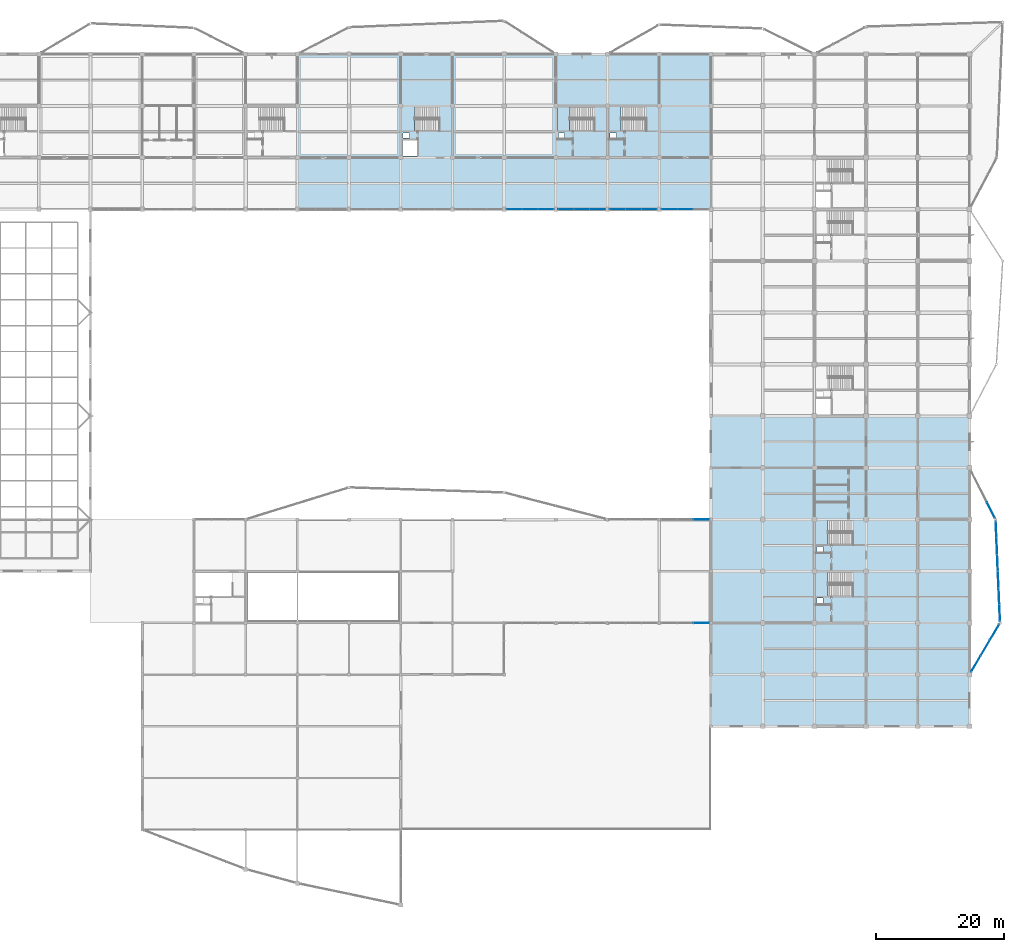
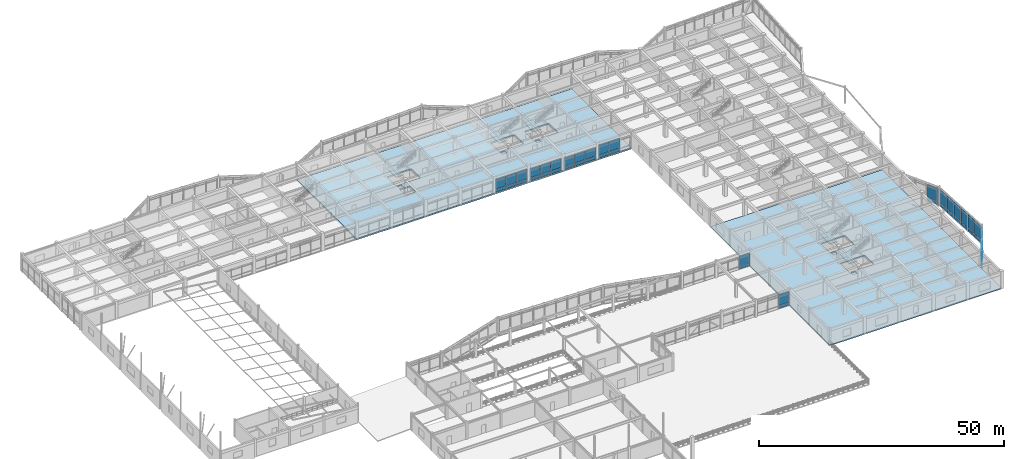
# One storey, part 55 of 89: 46 plates, 7 slabs, 15 elements without a shape of their own.
"""IFC4 building model written with IfcOpenShell, lengths in metres."""

from ifc_helpers import new_model, si_unit, direction, frame, origin, origin_2d, place, context, subcontext, project, spatial, polyline, rectangle, outline, extrude, material, layer, layer_set, type_object, element, aggregate, save


model = new_model("IFC4")

# Units and contexts
model_context = context("Model", 3, precision=1e-05, world=origin(), true_north=direction((0.0, 1.0)))
body_context = subcontext(model_context, "Body", "Model", "MODEL_VIEW")
ifc_project = project(units=[si_unit("LENGTHUNIT", "METRE"), si_unit("AREAUNIT", "SQUARE_METRE"), si_unit("VOLUMEUNIT", "CUBIC_METRE"), si_unit("PLANEANGLEUNIT", "RADIAN"), si_unit("MASSUNIT", "GRAM", prefix="KILO")], contexts=[model_context])

# Site, building, storey
site_placement = place(None, origin())
site = spatial("IfcSite", under=ifc_project, at=site_placement, CompositionType="ELEMENT")
building_placement = place(site_placement, origin())
building = spatial("IfcBuilding", under=site, at=building_placement, Name="Vaudrelin Polytechnic", CompositionType="ELEMENT")
storey_placement = place(building_placement, frame((0.0, 0.0, 9.68994140625)))
storey = spatial("IfcBuildingStorey", under=building, at=storey_placement, Name="L02", CompositionType="ELEMENT", Elevation=9.68994140625)

# Curtain wall, plate
ifc_material_1 = material(Name="Thermally broken anodised aluminium AA 6063-T6 and low-e triple glazing", Category="aluminium")
ifc_layer_1 = layer(ifc_material_1, 0.199951171875)
ifc_layer_set_1 = layer_set([ifc_layer_1], Name="Thermally broken anodised aluminium AA 6063-T6 and low-e triple glazing")
curtain_wall_type_1 = type_object("IfcCurtainWallType", Name="CW-CW-WG", PredefinedType="USERDEFINED", material=ifc_layer_set_1)
curtain_wall_1_placement = place(storey_placement, origin())
curtain_wall_1 = element("IfcCurtainWall", 1, at=curtain_wall_1_placement, inside=storey, type_object=curtain_wall_type_1, Name="Curtain wall L02 S_V6E_03", ObjectType="CURTAIN WALL", PredefinedType="USERDEFINED")
ifc_material_2 = material(Name="Insulated ceramic-frit spandrel glass panel", Category="glass")
ifc_layer_2 = layer(ifc_material_2, 0.052001953125)
ifc_layer_set_2 = layer_set([ifc_layer_2], Name="Insulated ceramic-frit spandrel glass panel")
plate_type_1 = type_object("IfcPlateType", Name="PLT-GLZ-SPAND", PredefinedType="CURTAIN_PANEL", material=ifc_layer_set_2)
plate_1_placement = place(storey_placement, frame((128.101318359375, 32.39990234375, 0.08984375), z_axis=(0.0, 0.0, 1.0), x_axis=(1.0, 0.0, 0.0)))
plate_1 = element("IfcPlate", 2, at=plate_1_placement, type_object=plate_type_1, Name="S_V6E_03 spandrel panel 3", PredefinedType="CURTAIN_PANEL", context=body_context, shape_type="SweptSolid", body=[
    extrude(rectangle(XDim=2.451416015625, YDim=0.052001953125, at=origin_2d()), origin(), (0.0, 0.0, 1.0), 0.699951171875),
])

curtain_wall_2_placement = place(storey_placement, origin())
curtain_wall_2 = element("IfcCurtainWall", 3, at=curtain_wall_2_placement, inside=storey, type_object=curtain_wall_type_1, Name="Curtain wall L02 CT_S_09", ObjectType="CURTAIN WALL", PredefinedType="USERDEFINED")
plate_2_placement = place(storey_placement, frame((128.101318359375, 48.60009765625, 0.08984375), z_axis=(0.0, 0.0, 1.0), x_axis=(1.0, 0.0, 0.0)))
plate_2 = element("IfcPlate", 4, at=plate_2_placement, type_object=plate_type_1, Name="CT_S_09 spandrel panel 3", PredefinedType="CURTAIN_PANEL", context=body_context, shape_type="SweptSolid", body=[
    extrude(rectangle(XDim=2.451416015625, YDim=0.052001953125, at=origin_2d()), origin(), (0.0, 0.0, 1.0), 0.699951171875),
])

# Curtain wall, plates
ifc_layer_3 = layer(ifc_material_1, 0.199951171875)
ifc_layer_set_3 = layer_set([ifc_layer_3], Name="Thermally broken anodised aluminium AA 6063-T6 and low-e triple glazing")
curtain_wall_type_2 = type_object("IfcCurtainWallType", Name="CW-CW-LIB", PredefinedType="USERDEFINED", material=ifc_layer_set_3)
curtain_wall_3_placement = place(storey_placement, origin())
curtain_wall_3 = element("IfcCurtainWall", 5, at=curtain_wall_3_placement, inside=storey, type_object=curtain_wall_type_2, Name="Curtain wall L02 CT_N_08", ObjectType="CURTAIN WALL", PredefinedType="USERDEFINED")
plate_3_placement = place(storey_placement, frame((98.765380859375, 97.199951171875, 0.08984375), z_axis=(0.0, 0.0, 1.0), x_axis=(1.0, 0.0, 0.0)))
plate_3 = element("IfcPlate", 6, at=plate_3_placement, type_object=plate_type_1, Name="CT_N_08 spandrel panel 1", PredefinedType="CURTAIN_PANEL", context=body_context, shape_type="SweptSolid", body=[
    extrude(rectangle(XDim=2.384765625, YDim=0.052001953125, at=origin_2d()), origin(), (0.0, 0.0, 1.0), 0.699951171875),
])
plate_4_placement = place(storey_placement, frame((101.25, 97.199951171875, 0.08984375), z_axis=(0.0, 0.0, 1.0), x_axis=(1.0, 0.0, 0.0)))
plate_4 = element("IfcPlate", 7, at=plate_4_placement, type_object=plate_type_1, Name="CT_N_08 spandrel panel 2", PredefinedType="CURTAIN_PANEL", context=body_context, shape_type="SweptSolid", body=[
    extrude(rectangle(XDim=2.384765625, YDim=0.052001953125, at=origin_2d()), origin(), (0.0, 0.0, 1.0), 0.699951171875),
])
plate_5_placement = place(storey_placement, frame((103.734619140625, 97.199951171875, 0.08984375), z_axis=(0.0, 0.0, 1.0), x_axis=(1.0, 0.0, 0.0)))
plate_5 = element("IfcPlate", 8, at=plate_5_placement, type_object=plate_type_1, Name="CT_N_08 spandrel panel 3", PredefinedType="CURTAIN_PANEL", context=body_context, shape_type="SweptSolid", body=[
    extrude(rectangle(XDim=2.384765625, YDim=0.052001953125, at=origin_2d()), origin(), (0.0, 0.0, 1.0), 0.699951171875),
])

curtain_wall_4_placement = place(storey_placement, origin())
curtain_wall_4 = element("IfcCurtainWall", 9, at=curtain_wall_4_placement, inside=storey, type_object=curtain_wall_type_2, Name="Curtain wall L02 CT_N_09", ObjectType="CURTAIN WALL", PredefinedType="USERDEFINED")
plate_6_placement = place(storey_placement, frame((106.865234375, 97.199951171875, 0.08984375), z_axis=(0.0, 0.0, 1.0), x_axis=(1.0, 0.0, 0.0)))
plate_6 = element("IfcPlate", 10, at=plate_6_placement, type_object=plate_type_1, Name="CT_N_09 spandrel panel 1", PredefinedType="CURTAIN_PANEL", context=body_context, shape_type="SweptSolid", body=[
    extrude(rectangle(XDim=2.384765625, YDim=0.052001953125, at=origin_2d()), origin(), (0.0, 0.0, 1.0), 0.699951171875),
])
plate_7_placement = place(storey_placement, frame((109.35009765625, 97.199951171875, 0.08984375), z_axis=(0.0, 0.0, 1.0), x_axis=(1.0, 0.0, 0.0)))
plate_7 = element("IfcPlate", 11, at=plate_7_placement, type_object=plate_type_1, Name="CT_N_09 spandrel panel 2", PredefinedType="CURTAIN_PANEL", context=body_context, shape_type="SweptSolid", body=[
    extrude(rectangle(XDim=2.384765625, YDim=0.052001953125, at=origin_2d()), origin(), (0.0, 0.0, 1.0), 0.699951171875),
])
plate_8_placement = place(storey_placement, frame((111.834716796875, 97.199951171875, 0.08984375), z_axis=(0.0, 0.0, 1.0), x_axis=(1.0, 0.0, 0.0)))
plate_8 = element("IfcPlate", 12, at=plate_8_placement, type_object=plate_type_1, Name="CT_N_09 spandrel panel 3", PredefinedType="CURTAIN_PANEL", context=body_context, shape_type="SweptSolid", body=[
    extrude(rectangle(XDim=2.384765625, YDim=0.052001953125, at=origin_2d()), origin(), (0.0, 0.0, 1.0), 0.699951171875),
])

curtain_wall_5_placement = place(storey_placement, origin())
curtain_wall_5 = element("IfcCurtainWall", 13, at=curtain_wall_5_placement, inside=storey, type_object=curtain_wall_type_2, Name="Curtain wall L02 CT_N_10", ObjectType="CURTAIN WALL", PredefinedType="USERDEFINED")
plate_9_placement = place(storey_placement, frame((114.96533203125, 97.199951171875, 0.08984375), z_axis=(0.0, 0.0, 1.0), x_axis=(1.0, 0.0, 0.0)))
plate_9 = element("IfcPlate", 14, at=plate_9_placement, type_object=plate_type_1, Name="CT_N_10 spandrel panel 1", PredefinedType="CURTAIN_PANEL", context=body_context, shape_type="SweptSolid", body=[
    extrude(rectangle(XDim=2.384765625, YDim=0.052001953125, at=origin_2d()), origin(), (0.0, 0.0, 1.0), 0.699951171875),
])
plate_10_placement = place(storey_placement, frame((117.449951171875, 97.199951171875, 0.08984375), z_axis=(0.0, 0.0, 1.0), x_axis=(1.0, 0.0, 0.0)))
plate_10 = element("IfcPlate", 15, at=plate_10_placement, type_object=plate_type_1, Name="CT_N_10 spandrel panel 2", PredefinedType="CURTAIN_PANEL", context=body_context, shape_type="SweptSolid", body=[
    extrude(rectangle(XDim=2.384765625, YDim=0.052001953125, at=origin_2d()), origin(), (0.0, 0.0, 1.0), 0.699951171875),
])
plate_11_placement = place(storey_placement, frame((119.934814453125, 97.199951171875, 0.08984375), z_axis=(0.0, 0.0, 1.0), x_axis=(1.0, 0.0, 0.0)))
plate_11 = element("IfcPlate", 16, at=plate_11_placement, type_object=plate_type_1, Name="CT_N_10 spandrel panel 3", PredefinedType="CURTAIN_PANEL", context=body_context, shape_type="SweptSolid", body=[
    extrude(rectangle(XDim=2.384765625, YDim=0.052001953125, at=origin_2d()), origin(), (0.0, 0.0, 1.0), 0.699951171875),
])

curtain_wall_6_placement = place(storey_placement, origin())
curtain_wall_6 = element("IfcCurtainWall", 17, at=curtain_wall_6_placement, inside=storey, type_object=curtain_wall_type_2, Name="Curtain wall L02 CT_N_11", ObjectType="CURTAIN WALL", PredefinedType="USERDEFINED")
plate_12_placement = place(storey_placement, frame((123.065185546875, 97.199951171875, 0.08984375), z_axis=(0.0, 0.0, 1.0), x_axis=(1.0, 0.0, 0.0)))
plate_12 = element("IfcPlate", 18, at=plate_12_placement, type_object=plate_type_1, Name="CT_N_11 spandrel panel 1", PredefinedType="CURTAIN_PANEL", context=body_context, shape_type="SweptSolid", body=[
    extrude(rectangle(XDim=2.384765625, YDim=0.052001953125, at=origin_2d()), origin(), (0.0, 0.0, 1.0), 0.699951171875),
])
plate_13_placement = place(storey_placement, frame((125.550048828125, 97.199951171875, 0.08984375), z_axis=(0.0, 0.0, 1.0), x_axis=(1.0, 0.0, 0.0)))
plate_13 = element("IfcPlate", 19, at=plate_13_placement, type_object=plate_type_1, Name="CT_N_11 spandrel panel 2", PredefinedType="CURTAIN_PANEL", context=body_context, shape_type="SweptSolid", body=[
    extrude(rectangle(XDim=2.384765625, YDim=0.052001953125, at=origin_2d()), origin(), (0.0, 0.0, 1.0), 0.699951171875),
])

ifc_layer_4 = layer(ifc_material_1, 0.199951171875)
ifc_layer_set_4 = layer_set([ifc_layer_4], Name="Thermally broken anodised aluminium AA 6063-T6 and low-e triple glazing")
curtain_wall_type_3 = type_object("IfcCurtainWallType", Name="CW-CW-LAB", PredefinedType="USERDEFINED", material=ifc_layer_set_4)
curtain_wall_7_placement = place(storey_placement, origin())
curtain_wall_7 = element("IfcCurtainWall", 20, at=curtain_wall_7_placement, inside=storey, type_object=curtain_wall_type_3, Name="Curtain wall L02 E_OR1_1_0", ObjectType="CURTAIN WALL", PredefinedType="USERDEFINED")
plate_14_placement = place(storey_placement, frame((171.09912109375, 25.98583984375, -0.5400390625), z_axis=(0.0, 0.0, 1.0), x_axis=(0.509796356978, 0.860295108908, 0.0)))
plate_14 = element("IfcPlate", 21, at=plate_14_placement, type_object=plate_type_1, Name="E_OR1_1_0 spandrel panel 1", PredefinedType="CURTAIN_PANEL", context=body_context, shape_type="SweptSolid", body=[
    extrude(rectangle(XDim=2.77734375, YDim=0.052001953125, at=origin_2d()), origin(), (0.0, 0.0, 1.0), 0.699951171875),
])
plate_15_placement = place(storey_placement, frame((172.56591796875, 28.461181640625, -0.5400390625), z_axis=(0.0, 0.0, 1.0), x_axis=(0.509796356978, 0.860295108908, 0.0)))
plate_15 = element("IfcPlate", 22, at=plate_15_placement, type_object=plate_type_1, Name="E_OR1_1_0 spandrel panel 2", PredefinedType="CURTAIN_PANEL", context=body_context, shape_type="SweptSolid", body=[
    extrude(rectangle(XDim=2.77734375, YDim=0.052001953125, at=origin_2d()), origin(), (0.0, 0.0, 1.0), 0.699951171875),
])
plate_16_placement = place(storey_placement, frame((174.03271484375, 30.936767578125, -0.5400390625), z_axis=(0.0, 0.0, 1.0), x_axis=(0.509796356978, 0.860295108908, 0.0)))
plate_16 = element("IfcPlate", 23, at=plate_16_placement, type_object=plate_type_1, Name="E_OR1_1_0 spandrel panel 3", PredefinedType="CURTAIN_PANEL", context=body_context, shape_type="SweptSolid", body=[
    extrude(rectangle(XDim=2.77734375, YDim=0.052001953125, at=origin_2d()), origin(), (0.0, 0.0, 1.0), 0.699951171875),
])

curtain_wall_8_placement = place(storey_placement, origin())
curtain_wall_8 = element("IfcCurtainWall", 24, at=curtain_wall_8_placement, inside=storey, type_object=curtain_wall_type_3, Name="Curtain wall L02 E_OR1_2_0", ObjectType="CURTAIN WALL", PredefinedType="USERDEFINED")
plate_17_placement = place(storey_placement, frame((174.8330078125, 33.94775390625, -0.5400390625), z_axis=(0.0, 0.0, 1.0), x_axis=(-0.043164270821, 0.99906798854, 0.0)))
plate_17 = element("IfcPlate", 25, at=plate_17_placement, type_object=plate_type_1, Name="E_OR1_2_0 spandrel panel 1", PredefinedType="CURTAIN_PANEL", context=body_context, shape_type="SweptSolid", body=[
    extrude(rectangle(XDim=2.523193359375, YDim=0.052001953125, at=origin_2d()), origin(), (0.0, 0.0, 1.0), 0.699951171875),
])
plate_18_placement = place(storey_placement, frame((174.719970703125, 36.568603515625, -0.5400390625), z_axis=(0.0, 0.0, 1.0), x_axis=(-0.043164270821, 0.99906798854, 0.0)))
plate_18 = element("IfcPlate", 26, at=plate_18_placement, type_object=plate_type_1, Name="E_OR1_2_0 spandrel panel 2", PredefinedType="CURTAIN_PANEL", context=body_context, shape_type="SweptSolid", body=[
    extrude(rectangle(XDim=2.523193359375, YDim=0.052001953125, at=origin_2d()), origin(), (0.0, 0.0, 1.0), 0.699951171875),
])
plate_19_placement = place(storey_placement, frame((174.606689453125, 39.189697265625, -0.5400390625), z_axis=(0.0, 0.0, 1.0), x_axis=(-0.043164270821, 0.99906798854, 0.0)))
plate_19 = element("IfcPlate", 27, at=plate_19_placement, type_object=plate_type_1, Name="E_OR1_2_0 spandrel panel 3", PredefinedType="CURTAIN_PANEL", context=body_context, shape_type="SweptSolid", body=[
    extrude(rectangle(XDim=2.523193359375, YDim=0.052001953125, at=origin_2d()), origin(), (0.0, 0.0, 1.0), 0.699951171875),
])

curtain_wall_9_placement = place(storey_placement, origin())
curtain_wall_9 = element("IfcCurtainWall", 28, at=curtain_wall_9_placement, inside=storey, type_object=curtain_wall_type_3, Name="Curtain wall L02 E_OR1_2_1", ObjectType="CURTAIN WALL", PredefinedType="USERDEFINED")
plate_20_placement = place(storey_placement, frame((174.493408203125, 41.810302734375, -0.5400390625), z_axis=(0.0, 0.0, 1.0), x_axis=(-0.043164270821, 0.99906798854, 0.0)))
plate_20 = element("IfcPlate", 29, at=plate_20_placement, type_object=plate_type_1, Name="E_OR1_2_1 spandrel panel 1", PredefinedType="CURTAIN_PANEL", context=body_context, shape_type="SweptSolid", body=[
    extrude(rectangle(XDim=2.523193359375, YDim=0.052001953125, at=origin_2d()), origin(), (0.0, 0.0, 1.0), 0.699951171875),
])
plate_21_placement = place(storey_placement, frame((174.380126953125, 44.431396484375, -0.5400390625), z_axis=(0.0, 0.0, 1.0), x_axis=(-0.043164270821, 0.99906798854, 0.0)))
plate_21 = element("IfcPlate", 30, at=plate_21_placement, type_object=plate_type_1, Name="E_OR1_2_1 spandrel panel 2", PredefinedType="CURTAIN_PANEL", context=body_context, shape_type="SweptSolid", body=[
    extrude(rectangle(XDim=2.523193359375, YDim=0.052001953125, at=origin_2d()), origin(), (0.0, 0.0, 1.0), 0.699951171875),
])
plate_22_placement = place(storey_placement, frame((174.266845703125, 47.05224609375, -0.5400390625), z_axis=(0.0, 0.0, 1.0), x_axis=(-0.043164270821, 0.99906798854, 0.0)))
plate_22 = element("IfcPlate", 31, at=plate_22_placement, type_object=plate_type_1, Name="E_OR1_2_1 spandrel panel 3", PredefinedType="CURTAIN_PANEL", context=body_context, shape_type="SweptSolid", body=[
    extrude(rectangle(XDim=2.523193359375, YDim=0.052001953125, at=origin_2d()), origin(), (0.0, 0.0, 1.0), 0.699951171875),
])

# Curtain wall, plate
curtain_wall_10_placement = place(storey_placement, origin())
curtain_wall_10 = element("IfcCurtainWall", 32, at=curtain_wall_10_placement, inside=storey, type_object=curtain_wall_type_3, Name="Curtain wall L02 E_OR1_3_0", ObjectType="CURTAIN WALL", PredefinedType="USERDEFINED")
plate_23_placement = place(storey_placement, frame((173.45849609375, 50.065185546875, -0.5400390625), z_axis=(0.0, 0.0, 1.0), x_axis=(-0.451608607789, 0.892216153951, 0.0)))
plate_23 = element("IfcPlate", 33, at=plate_23_placement, type_object=plate_type_1, Name="E_OR1_3_0 spandrel panel 1", PredefinedType="CURTAIN_PANEL", context=body_context, shape_type="SweptSolid", body=[
    extrude(rectangle(XDim=2.672607421875, YDim=0.052001953125, at=origin_2d()), origin(), (0.0, 0.0, 1.0), 0.699951171875),
])

# Plate
ifc_material_3 = material(Name="Triple low-e argon insulated glazing unit", Category="glass")
ifc_layer_5 = layer(ifc_material_3, 0.0439453125)
ifc_layer_set_5 = layer_set([ifc_layer_5], Name="Triple low-e argon insulated glazing unit")
plate_type_2 = type_object("IfcPlateType", Name="PLT-GLZ-TRIPLE", PredefinedType="CURTAIN_PANEL", material=ifc_layer_set_5)
plate_24_placement = place(storey_placement, frame((128.101318359375, 32.39990234375, 0.89990234375), z_axis=(0.0, 0.0, 1.0), x_axis=(1.0, 0.0, 0.0)))
plate_24 = element("IfcPlate", 34, at=plate_24_placement, type_object=plate_type_2, Name="S_V6E_03 vision panel 3", PredefinedType="CURTAIN_PANEL", context=body_context, shape_type="SweptSolid", body=[
    extrude(rectangle(XDim=2.451416015625, YDim=0.0439453125, at=origin_2d()), origin(), (0.0, 0.0, 1.0), 2.678955078125),
])

aggregate(curtain_wall_1, [plate_1, plate_24])

plate_25_placement = place(storey_placement, frame((128.101318359375, 48.60009765625, 0.89990234375), z_axis=(0.0, 0.0, 1.0), x_axis=(1.0, 0.0, 0.0)))
plate_25 = element("IfcPlate", 35, at=plate_25_placement, type_object=plate_type_2, Name="CT_S_09 vision panel 3", PredefinedType="CURTAIN_PANEL", context=body_context, shape_type="SweptSolid", body=[
    extrude(rectangle(XDim=2.451416015625, YDim=0.0439453125, at=origin_2d()), origin(), (0.0, 0.0, 1.0), 2.491943359375),
])

aggregate(curtain_wall_2, [plate_2, plate_25])

plate_26_placement = place(storey_placement, frame((98.765380859375, 97.199951171875, 0.89990234375), z_axis=(0.0, 0.0, 1.0), x_axis=(1.0, 0.0, 0.0)))
plate_26 = element("IfcPlate", 36, at=plate_26_placement, type_object=plate_type_2, Name="CT_N_08 vision panel 1", PredefinedType="CURTAIN_PANEL", context=body_context, shape_type="SweptSolid", body=[
    extrude(rectangle(XDim=2.384765625, YDim=0.0439453125, at=origin_2d()), origin(), (0.0, 0.0, 1.0), 2.491943359375),
])

plate_27_placement = place(storey_placement, frame((101.25, 97.199951171875, 0.89990234375), z_axis=(0.0, 0.0, 1.0), x_axis=(1.0, 0.0, 0.0)))
plate_27 = element("IfcPlate", 37, at=plate_27_placement, type_object=plate_type_2, Name="CT_N_08 vision panel 2", PredefinedType="CURTAIN_PANEL", context=body_context, shape_type="SweptSolid", body=[
    extrude(rectangle(XDim=2.384765625, YDim=0.0439453125, at=origin_2d()), origin(), (0.0, 0.0, 1.0), 2.491943359375),
])

plate_28_placement = place(storey_placement, frame((103.734619140625, 97.199951171875, 0.89990234375), z_axis=(0.0, 0.0, 1.0), x_axis=(1.0, 0.0, 0.0)))
plate_28 = element("IfcPlate", 38, at=plate_28_placement, type_object=plate_type_2, Name="CT_N_08 vision panel 3", PredefinedType="CURTAIN_PANEL", context=body_context, shape_type="SweptSolid", body=[
    extrude(rectangle(XDim=2.384765625, YDim=0.0439453125, at=origin_2d()), origin(), (0.0, 0.0, 1.0), 2.491943359375),
])

aggregate(curtain_wall_3, [plate_3, plate_26, plate_4, plate_27, plate_5, plate_28])

plate_29_placement = place(storey_placement, frame((106.865234375, 97.199951171875, 0.900146484375), z_axis=(0.0, 0.0, 1.0), x_axis=(1.0, 0.0, 0.0)))
plate_29 = element("IfcPlate", 39, at=plate_29_placement, type_object=plate_type_2, Name="CT_N_09 vision panel 1", PredefinedType="CURTAIN_PANEL", context=body_context, shape_type="SweptSolid", body=[
    extrude(rectangle(XDim=2.384765625, YDim=0.0439453125, at=origin_2d()), origin(), (0.0, 0.0, 1.0), 2.2919921875),
])

plate_30_placement = place(storey_placement, frame((109.35009765625, 97.199951171875, 0.900146484375), z_axis=(0.0, 0.0, 1.0), x_axis=(1.0, 0.0, 0.0)))
plate_30 = element("IfcPlate", 40, at=plate_30_placement, type_object=plate_type_2, Name="CT_N_09 vision panel 2", PredefinedType="CURTAIN_PANEL", context=body_context, shape_type="SweptSolid", body=[
    extrude(rectangle(XDim=2.384765625, YDim=0.0439453125, at=origin_2d()), origin(), (0.0, 0.0, 1.0), 2.2919921875),
])

plate_31_placement = place(storey_placement, frame((111.834716796875, 97.199951171875, 0.900146484375), z_axis=(0.0, 0.0, 1.0), x_axis=(1.0, 0.0, 0.0)))
plate_31 = element("IfcPlate", 41, at=plate_31_placement, type_object=plate_type_2, Name="CT_N_09 vision panel 3", PredefinedType="CURTAIN_PANEL", context=body_context, shape_type="SweptSolid", body=[
    extrude(rectangle(XDim=2.384765625, YDim=0.0439453125, at=origin_2d()), origin(), (0.0, 0.0, 1.0), 2.2919921875),
])

aggregate(curtain_wall_4, [plate_6, plate_29, plate_7, plate_30, plate_8, plate_31])

plate_32_placement = place(storey_placement, frame((114.96533203125, 97.199951171875, 0.900146484375), z_axis=(0.0, 0.0, 1.0), x_axis=(1.0, 0.0, 0.0)))
plate_32 = element("IfcPlate", 42, at=plate_32_placement, type_object=plate_type_2, Name="CT_N_10 vision panel 1", PredefinedType="CURTAIN_PANEL", context=body_context, shape_type="SweptSolid", body=[
    extrude(rectangle(XDim=2.384765625, YDim=0.0439453125, at=origin_2d()), origin(), (0.0, 0.0, 1.0), 2.19189453125),
])

plate_33_placement = place(storey_placement, frame((117.449951171875, 97.199951171875, 0.900146484375), z_axis=(0.0, 0.0, 1.0), x_axis=(1.0, 0.0, 0.0)))
plate_33 = element("IfcPlate", 43, at=plate_33_placement, type_object=plate_type_2, Name="CT_N_10 vision panel 2", PredefinedType="CURTAIN_PANEL", context=body_context, shape_type="SweptSolid", body=[
    extrude(rectangle(XDim=2.384765625, YDim=0.0439453125, at=origin_2d()), origin(), (0.0, 0.0, 1.0), 2.19189453125),
])

plate_34_placement = place(storey_placement, frame((119.934814453125, 97.199951171875, 0.900146484375), z_axis=(0.0, 0.0, 1.0), x_axis=(1.0, 0.0, 0.0)))
plate_34 = element("IfcPlate", 44, at=plate_34_placement, type_object=plate_type_2, Name="CT_N_10 vision panel 3", PredefinedType="CURTAIN_PANEL", context=body_context, shape_type="SweptSolid", body=[
    extrude(rectangle(XDim=2.384765625, YDim=0.0439453125, at=origin_2d()), origin(), (0.0, 0.0, 1.0), 2.19189453125),
])

aggregate(curtain_wall_5, [plate_9, plate_32, plate_10, plate_33, plate_11, plate_34])

plate_35_placement = place(storey_placement, frame((123.065185546875, 97.199951171875, 0.89990234375), z_axis=(0.0, 0.0, 1.0), x_axis=(1.0, 0.0, 0.0)))
plate_35 = element("IfcPlate", 45, at=plate_35_placement, type_object=plate_type_2, Name="CT_N_11 vision panel 1", PredefinedType="CURTAIN_PANEL", context=body_context, shape_type="SweptSolid", body=[
    extrude(rectangle(XDim=2.384765625, YDim=0.0439453125, at=origin_2d()), origin(), (0.0, 0.0, 1.0), 2.491943359375),
])

plate_36_placement = place(storey_placement, frame((125.550048828125, 97.199951171875, 0.89990234375), z_axis=(0.0, 0.0, 1.0), x_axis=(1.0, 0.0, 0.0)))
plate_36 = element("IfcPlate", 46, at=plate_36_placement, type_object=plate_type_2, Name="CT_N_11 vision panel 2", PredefinedType="CURTAIN_PANEL", context=body_context, shape_type="SweptSolid", body=[
    extrude(rectangle(XDim=2.384765625, YDim=0.0439453125, at=origin_2d()), origin(), (0.0, 0.0, 1.0), 2.491943359375),
])

aggregate(curtain_wall_6, [plate_12, plate_35, plate_13, plate_36])

plate_37_placement = place(storey_placement, frame((171.09912109375, 25.98583984375, 0.27001953125), z_axis=(0.0, 0.0, 1.0), x_axis=(0.509796356978, 0.860295108908, 0.0)))
plate_37 = element("IfcPlate", 47, at=plate_37_placement, type_object=plate_type_2, Name="E_OR1_1_0 vision panel 1", PredefinedType="CURTAIN_PANEL", context=body_context, shape_type="SweptSolid", body=[
    extrude(rectangle(XDim=2.77734375, YDim=0.0439453125, at=origin_2d()), origin(), (0.0, 0.0, 1.0), 3.43994140625),
])

plate_38_placement = place(storey_placement, frame((172.56591796875, 28.461181640625, 0.27001953125), z_axis=(0.0, 0.0, 1.0), x_axis=(0.509796356978, 0.860295108908, 0.0)))
plate_38 = element("IfcPlate", 48, at=plate_38_placement, type_object=plate_type_2, Name="E_OR1_1_0 vision panel 2", PredefinedType="CURTAIN_PANEL", context=body_context, shape_type="SweptSolid", body=[
    extrude(rectangle(XDim=2.77734375, YDim=0.0439453125, at=origin_2d()), origin(), (0.0, 0.0, 1.0), 3.43994140625),
])

plate_39_placement = place(storey_placement, frame((174.03271484375, 30.936767578125, 0.27001953125), z_axis=(0.0, 0.0, 1.0), x_axis=(0.509796356978, 0.860295108908, 0.0)))
plate_39 = element("IfcPlate", 49, at=plate_39_placement, type_object=plate_type_2, Name="E_OR1_1_0 vision panel 3", PredefinedType="CURTAIN_PANEL", context=body_context, shape_type="SweptSolid", body=[
    extrude(rectangle(XDim=2.77734375, YDim=0.0439453125, at=origin_2d()), origin(), (0.0, 0.0, 1.0), 3.43994140625),
])

aggregate(curtain_wall_7, [plate_14, plate_37, plate_15, plate_38, plate_16, plate_39])

plate_40_placement = place(storey_placement, frame((174.8330078125, 33.94775390625, 0.27001953125), z_axis=(0.0, 0.0, 1.0), x_axis=(-0.043164270821, 0.99906798854, 0.0)))
plate_40 = element("IfcPlate", 50, at=plate_40_placement, type_object=plate_type_2, Name="E_OR1_2_0 vision panel 1", PredefinedType="CURTAIN_PANEL", context=body_context, shape_type="SweptSolid", body=[
    extrude(rectangle(XDim=2.523193359375, YDim=0.0439453125, at=origin_2d()), origin(), (0.0, 0.0, 1.0), 3.43994140625),
])

plate_41_placement = place(storey_placement, frame((174.719970703125, 36.568603515625, 0.27001953125), z_axis=(0.0, 0.0, 1.0), x_axis=(-0.043164270821, 0.99906798854, 0.0)))
plate_41 = element("IfcPlate", 51, at=plate_41_placement, type_object=plate_type_2, Name="E_OR1_2_0 vision panel 2", PredefinedType="CURTAIN_PANEL", context=body_context, shape_type="SweptSolid", body=[
    extrude(rectangle(XDim=2.523193359375, YDim=0.0439453125, at=origin_2d()), origin(), (0.0, 0.0, 1.0), 3.43994140625),
])

plate_42_placement = place(storey_placement, frame((174.606689453125, 39.189697265625, 0.27001953125), z_axis=(0.0, 0.0, 1.0), x_axis=(-0.043164270821, 0.99906798854, 0.0)))
plate_42 = element("IfcPlate", 52, at=plate_42_placement, type_object=plate_type_2, Name="E_OR1_2_0 vision panel 3", PredefinedType="CURTAIN_PANEL", context=body_context, shape_type="SweptSolid", body=[
    extrude(rectangle(XDim=2.523193359375, YDim=0.0439453125, at=origin_2d()), origin(), (0.0, 0.0, 1.0), 3.43994140625),
])

aggregate(curtain_wall_8, [plate_17, plate_40, plate_18, plate_41, plate_19, plate_42])

plate_43_placement = place(storey_placement, frame((174.493408203125, 41.810302734375, 0.27001953125), z_axis=(0.0, 0.0, 1.0), x_axis=(-0.043164270821, 0.99906798854, 0.0)))
plate_43 = element("IfcPlate", 53, at=plate_43_placement, type_object=plate_type_2, Name="E_OR1_2_1 vision panel 1", PredefinedType="CURTAIN_PANEL", context=body_context, shape_type="SweptSolid", body=[
    extrude(rectangle(XDim=2.523193359375, YDim=0.0439453125, at=origin_2d()), origin(), (0.0, 0.0, 1.0), 3.43994140625),
])

plate_44_placement = place(storey_placement, frame((174.380126953125, 44.431396484375, 0.27001953125), z_axis=(0.0, 0.0, 1.0), x_axis=(-0.043164270821, 0.99906798854, 0.0)))
plate_44 = element("IfcPlate", 54, at=plate_44_placement, type_object=plate_type_2, Name="E_OR1_2_1 vision panel 2", PredefinedType="CURTAIN_PANEL", context=body_context, shape_type="SweptSolid", body=[
    extrude(rectangle(XDim=2.523193359375, YDim=0.0439453125, at=origin_2d()), origin(), (0.0, 0.0, 1.0), 3.43994140625),
])

plate_45_placement = place(storey_placement, frame((174.266845703125, 47.05224609375, 0.27001953125), z_axis=(0.0, 0.0, 1.0), x_axis=(-0.043164270821, 0.99906798854, 0.0)))
plate_45 = element("IfcPlate", 55, at=plate_45_placement, type_object=plate_type_2, Name="E_OR1_2_1 vision panel 3", PredefinedType="CURTAIN_PANEL", context=body_context, shape_type="SweptSolid", body=[
    extrude(rectangle(XDim=2.523193359375, YDim=0.0439453125, at=origin_2d()), origin(), (0.0, 0.0, 1.0), 3.43994140625),
])

aggregate(curtain_wall_9, [plate_20, plate_43, plate_21, plate_44, plate_22, plate_45])

plate_46_placement = place(storey_placement, frame((173.45849609375, 50.065185546875, 0.27001953125), z_axis=(0.0, 0.0, 1.0), x_axis=(-0.451608607789, 0.892216153951, 0.0)))
plate_46 = element("IfcPlate", 56, at=plate_46_placement, type_object=plate_type_2, Name="E_OR1_3_0 vision panel 1", PredefinedType="CURTAIN_PANEL", context=body_context, shape_type="SweptSolid", body=[
    extrude(rectangle(XDim=2.672607421875, YDim=0.0439453125, at=origin_2d()), origin(), (0.0, 0.0, 1.0), 3.43994140625),
])

aggregate(curtain_wall_10, [plate_23, plate_46])

# Stair, slab
ifc_material_4 = material(Name="Concrete 35 MPa", Category="concrete")
stair_type = type_object("IfcStairType", Name="STR-ST-CORE", PredefinedType="TWO_STRAIGHT_RUN_STAIR", material=ifc_material_4)
stair_1_placement = place(storey_placement, origin())
stair_1 = element("IfcStair", 57, at=stair_1_placement, inside=storey, type_object=stair_type, Name="Exit stair ST-02-L02", PredefinedType="TWO_STRAIGHT_RUN_STAIR")
ifc_layer_6 = layer(ifc_material_4, 0.219970703125)
ifc_layer_set_6 = layer_set([ifc_layer_6], Name="Concrete 35 MPa")
slab_type_1 = type_object("IfcSlabType", Name="SLB-LND220", PredefinedType="LANDING", material=ifc_layer_set_6)
slab_1_placement = place(storey_placement, frame((0.0, 0.0, 1.989990234375)))
slab_1 = element("IfcSlab", 58, at=slab_1_placement, type_object=slab_type_1, Name="ST-02-L02 landing 1", PredefinedType="LANDING", context=body_context, shape_type="SweptSolid", body=[
    extrude(outline(polyline([(81.139892578125, 109.4599609375), (83.110107421875, 109.4599609375), (83.110107421875, 113.300048828125), (81.139892578125, 113.300048828125), (81.139892578125, 109.4599609375)])), origin(), (0.0, 0.0, 1.0), 0.219970703125),
])
aggregate(stair_1, [slab_1])

stair_2_placement = place(storey_placement, origin())
stair_2 = element("IfcStair", 59, at=stair_2_placement, inside=storey, type_object=stair_type, Name="Exit stair ST-08-L02", PredefinedType="TWO_STRAIGHT_RUN_STAIR")
slab_2_placement = place(storey_placement, frame((0.0, 0.0, 1.989990234375)))
slab_2 = element("IfcSlab", 60, at=slab_2_placement, type_object=slab_type_1, Name="ST-08-L02 landing 1", PredefinedType="LANDING", context=body_context, shape_type="SweptSolid", body=[
    extrude(outline(polyline([(145.93994140625, 36.56005859375), (147.909912109375, 36.56005859375), (147.909912109375, 40.39990234375), (145.93994140625, 40.39990234375), (145.93994140625, 36.56005859375)])), origin(), (0.0, 0.0, 1.0), 0.219970703125),
])
aggregate(stair_2, [slab_2])

stair_3_placement = place(storey_placement, origin())
stair_3 = element("IfcStair", 61, at=stair_3_placement, inside=storey, type_object=stair_type, Name="Exit stair ST-10-L02", PredefinedType="TWO_STRAIGHT_RUN_STAIR")
slab_3_placement = place(storey_placement, frame((0.0, 0.0, 1.989990234375)))
slab_3 = element("IfcSlab", 62, at=slab_3_placement, type_object=slab_type_1, Name="ST-10-L02 landing 1", PredefinedType="LANDING", context=body_context, shape_type="SweptSolid", body=[
    extrude(outline(polyline([(113.5400390625, 109.4599609375), (115.510009765625, 109.4599609375), (115.510009765625, 113.300048828125), (113.5400390625, 113.300048828125), (113.5400390625, 109.4599609375)])), origin(), (0.0, 0.0, 1.0), 0.219970703125),
])
aggregate(stair_3, [slab_3])

stair_4_placement = place(storey_placement, origin())
stair_4 = element("IfcStair", 63, at=stair_4_placement, inside=storey, type_object=stair_type, Name="Exit stair ST-11-L02", PredefinedType="TWO_STRAIGHT_RUN_STAIR")
slab_4_placement = place(storey_placement, frame((0.0, 0.0, 1.989990234375)))
slab_4 = element("IfcSlab", 64, at=slab_4_placement, type_object=slab_type_1, Name="ST-11-L02 landing 1", PredefinedType="LANDING", context=body_context, shape_type="SweptSolid", body=[
    extrude(outline(polyline([(105.43994140625, 109.4599609375), (107.409912109375, 109.4599609375), (107.409912109375, 113.300048828125), (105.43994140625, 113.300048828125), (105.43994140625, 109.4599609375)])), origin(), (0.0, 0.0, 1.0), 0.219970703125),
])
aggregate(stair_4, [slab_4])

stair_5_placement = place(storey_placement, origin())
stair_5 = element("IfcStair", 65, at=stair_5_placement, inside=storey, type_object=stair_type, Name="Exit stair ST-12-L02", PredefinedType="TWO_STRAIGHT_RUN_STAIR")
slab_5_placement = place(storey_placement, frame((0.0, 0.0, 1.989990234375)))
slab_5 = element("IfcSlab", 66, at=slab_5_placement, type_object=slab_type_1, Name="ST-12-L02 landing 1", PredefinedType="LANDING", context=body_context, shape_type="SweptSolid", body=[
    extrude(outline(polyline([(145.93994140625, 44.659912109375), (147.909912109375, 44.659912109375), (147.909912109375, 48.5), (145.93994140625, 48.5), (145.93994140625, 44.659912109375)])), origin(), (0.0, 0.0, 1.0), 0.219970703125),
])
aggregate(stair_5, [slab_5])

# Slabs
ifc_layer_7 = layer(ifc_material_4, 0.280029296875)
ifc_layer_set_7 = layer_set([ifc_layer_7], Name="Concrete 35 MPa")
slab_type_2 = type_object("IfcSlabType", Name="SLB-SL-F280", PredefinedType="FLOOR", material=ifc_layer_set_7)
slab_6_placement = place(storey_placement, frame((0.0, 0.0, -0.280029296875)))
element("IfcSlab", 67, at=slab_6_placement, inside=storey, type_object=slab_type_2, Name="L02 floor slab V4-S", PredefinedType="FLOOR", context=body_context, shape_type="SweptSolid", body=[
    extrude(outline(polyline([(129.60009765625, 16.199951171875), (170.10009765625, 16.199951171875), (170.10009765625, 64.800048828125), (129.60009765625, 64.800048828125), (129.60009765625, 16.199951171875)]), holes=[polyline([(146.050048828125, 36.610107421875), (151.800048828125, 36.610107421875), (151.800048828125, 40.25), (146.050048828125, 40.25), (146.050048828125, 36.610107421875)]), polyline([(146.179931640625, 35.47998046875), (147.179931640625, 35.47998046875), (147.179931640625, 36.280029296875), (146.179931640625, 36.280029296875), (146.179931640625, 35.47998046875)]), polyline([(146.050048828125, 44.7099609375), (151.800048828125, 44.7099609375), (151.800048828125, 48.35009765625), (146.050048828125, 48.35009765625), (146.050048828125, 44.7099609375)]), polyline([(146.179931640625, 43.580078125), (147.179931640625, 43.580078125), (147.179931640625, 44.3798828125), (146.179931640625, 44.3798828125), (146.179931640625, 43.580078125)])]), origin(), (0.0, 0.0, 1.0), 0.280029296875),
])
ifc_layer_8 = layer(ifc_material_4, 0.340087890625)
ifc_layer_set_8 = layer_set([ifc_layer_8], Name="Concrete 35 MPa")
slab_type_3 = type_object("IfcSlabType", Name="SLB-SL-ST340", PredefinedType="FLOOR", material=ifc_layer_set_8)
slab_7_placement = place(storey_placement, frame((0.0, 0.0, -0.33984375)))
element("IfcSlab", 68, at=slab_7_placement, inside=storey, type_object=slab_type_3, Name="L02 floor slab V5-LIBE", PredefinedType="FLOOR", context=body_context, shape_type="SweptSolid", body=[
    extrude(outline(polyline([(64.800048828125, 97.199951171875), (129.60009765625, 97.199951171875), (129.60009765625, 121.5), (64.800048828125, 121.5), (64.800048828125, 97.199951171875)]), holes=[polyline([(81.25, 109.510009765625), (87.0, 109.510009765625), (87.0, 113.14990234375), (81.25, 113.14990234375), (81.25, 109.510009765625)]), polyline([(81.25, 105.550048828125), (83.580078125, 105.550048828125), (83.580078125, 108.030029296875), (81.25, 108.030029296875), (81.25, 105.550048828125)]), polyline([(81.3798828125, 108.3798828125), (82.3798828125, 108.3798828125), (82.3798828125, 109.179931640625), (81.3798828125, 109.179931640625), (81.3798828125, 108.3798828125)]), polyline([(113.64990234375, 109.510009765625), (119.39990234375, 109.510009765625), (119.39990234375, 113.14990234375), (113.64990234375, 113.14990234375), (113.64990234375, 109.510009765625)]), polyline([(113.780029296875, 108.3798828125), (114.780029296875, 108.3798828125), (114.780029296875, 109.179931640625), (113.780029296875, 109.179931640625), (113.780029296875, 108.3798828125)]), polyline([(105.550048828125, 109.510009765625), (111.300048828125, 109.510009765625), (111.300048828125, 113.14990234375), (105.550048828125, 113.14990234375), (105.550048828125, 109.510009765625)]), polyline([(105.679931640625, 108.3798828125), (106.679931640625, 108.3798828125), (106.679931640625, 109.179931640625), (105.679931640625, 109.179931640625), (105.679931640625, 108.3798828125)])]), origin(), (0.0, 0.0, 1.0), 0.33984375),
])

save(model, "model.ifc")
